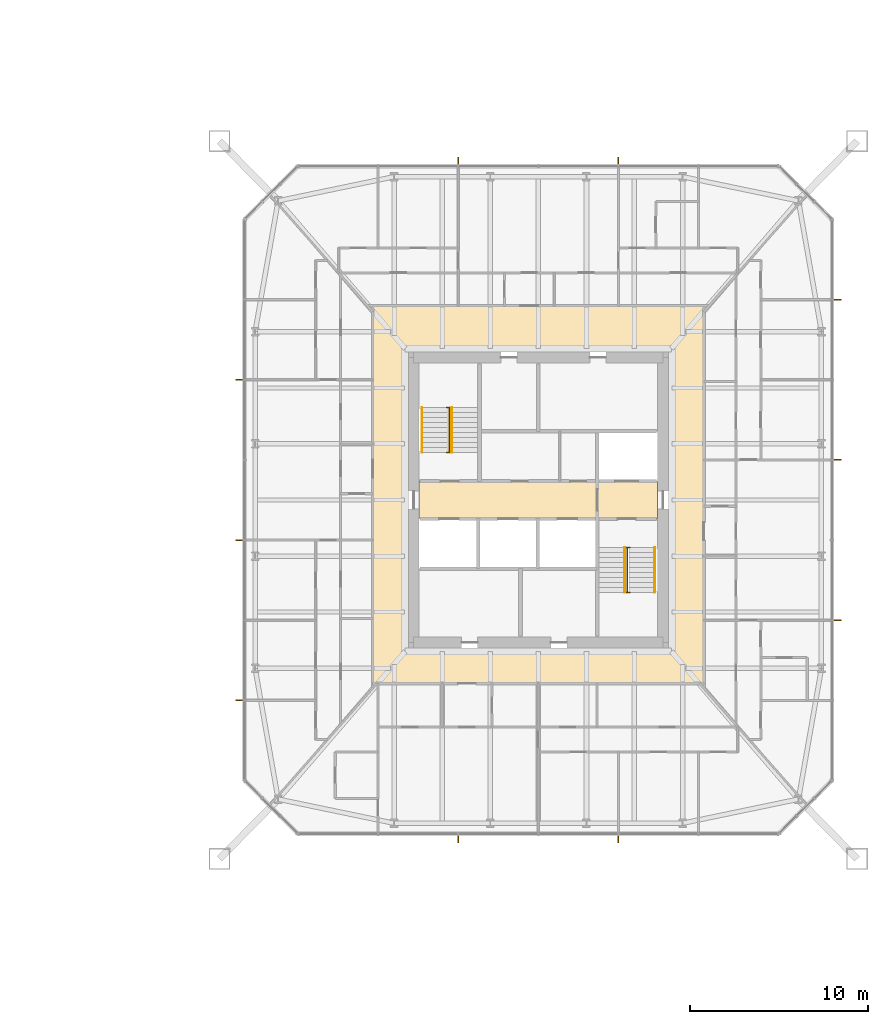
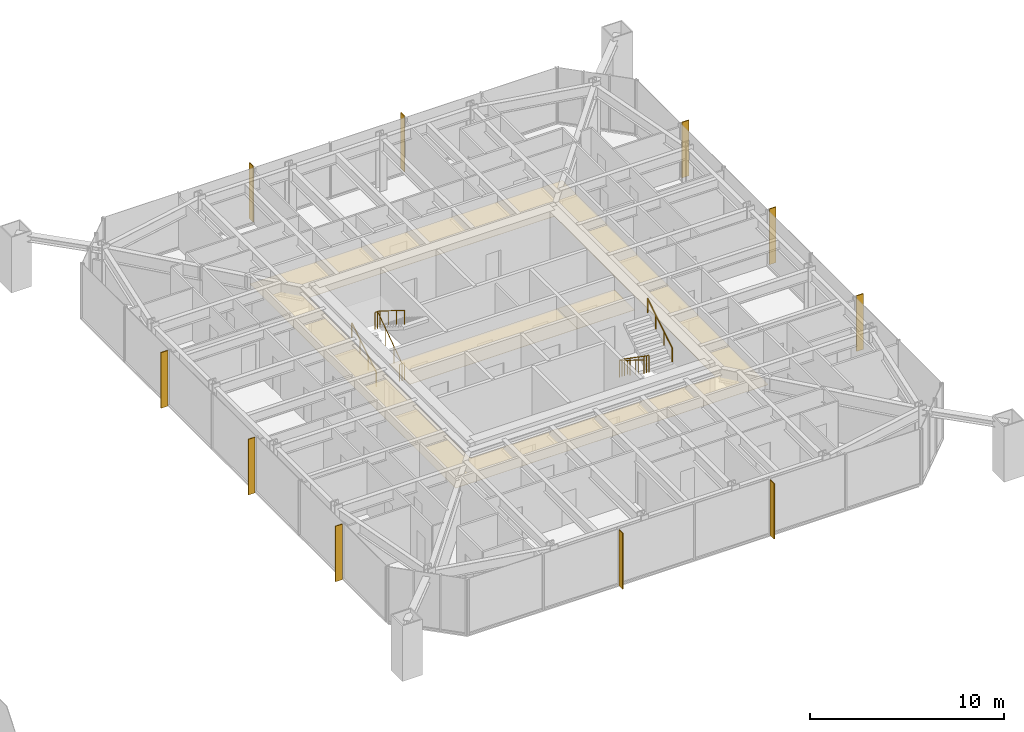
# One storey, part 26 of 26: 10 shading devices, 6 railings, 3 coverings.
"""IFC4 building model written with IfcOpenShell, lengths in metres."""

from ifc_helpers import new_model, si_unit, direction, frame, origin, origin_2d, place, context, subcontext, project, spatial, polyline, rectangle, circle, outline, extrude, material, layer, layer_set, constituent, constituent_set, type_object, element, save


model = new_model("IFC4")

# Units and contexts
model_context = context("Model", 3, precision=1e-05, world=origin(), true_north=direction((0.0, 1.0)))
body_context = subcontext(model_context, "Body", "Model", "MODEL_VIEW")
ifc_project = project(units=[si_unit("LENGTHUNIT", "METRE"), si_unit("AREAUNIT", "SQUARE_METRE"), si_unit("VOLUMEUNIT", "CUBIC_METRE"), si_unit("PLANEANGLEUNIT", "RADIAN"), si_unit("MASSUNIT", "GRAM", prefix="KILO")], contexts=[model_context])

# Site, building, storey
site_placement = place(None, origin())
site = spatial("IfcSite", under=ifc_project, at=site_placement, CompositionType="ELEMENT")
building_placement = place(site_placement, origin())
building = spatial("IfcBuilding", under=site, at=building_placement, Name="Iwan Alto Co-Living Towers", CompositionType="ELEMENT")
storey_placement = place(building_placement, frame((0.0, 0.0, 36.0)))
storey = spatial("IfcBuildingStorey", under=building, at=storey_placement, Name="L09", CompositionType="ELEMENT", Elevation=36.0)

# Coverings
ifc_material_1 = material(Name="Mineral fibre acoustic tiles on steel grid", Category="steel")
ifc_layer_1 = layer(ifc_material_1, 0.02001953125)
ifc_layer_set_1 = layer_set([ifc_layer_1], Name="ACOUSTIC TILE CEILING 20")
covering_type_1 = type_object("IfcCoveringType", Name="ACOUSTIC TILE CEILING 20", PredefinedType="CEILING", material=ifc_layer_set_1)
covering_1_placement = place(storey_placement, frame((0.0, 0.0, 2.60009765625)))
element("IfcCovering", 1, at=covering_1_placement, inside=storey, type_object=covering_type_1, Name="Ceiling Lift lobby L09", PredefinedType="CEILING", context=body_context, shape_type="SweptSolid", body=[
    extrude(outline(polyline([(56.300048828125, -1.050048828125), (56.300048828125, 1.050048828125), (66.300048828125, 1.050048828125), (66.300048828125, -1.050048828125), (56.300048828125, -1.050048828125)])), origin(), (0.0, 0.0, 1.0), 0.02001953125),
])
covering_2_placement = place(storey_placement, frame((0.0, 0.0, 2.60009765625)))
element("IfcCovering", 2, at=covering_2_placement, inside=storey, type_object=covering_type_1, Name="Ceiling Firefighting lobby L09", PredefinedType="CEILING", context=body_context, shape_type="SweptSolid", body=[
    extrude(outline(polyline([(66.300048828125, -1.050048828125), (66.300048828125, 1.050048828125), (69.699951171875, 1.050048828125), (69.699951171875, -1.050048828125), (66.300048828125, -1.050048828125)])), origin(), (0.0, 0.0, 1.0), 0.02001953125),
])

# Shading devices
ifc_material_2 = material(Name="Aluminium 6063-T6 bronze anodised", Category="aluminium")
ifc_layer_2 = layer(ifc_material_2, 0.050048828125)
ifc_layer_set_2 = layer_set([ifc_layer_2], Name="BRONZE FIN 50X400")
shading_device_type = type_object("IfcShadingDeviceType", Name="BRONZE FIN 50X400", PredefinedType="USERDEFINED", material=ifc_layer_set_2)
for number, where, z_axis, x_axis, name in (
    (3, (58.5, -19.050048828125, 0.0), (0.0, 0.0, 1.0), (1.0, 0.0, 0.0), "Bronze fin L09"),
    (4, (67.5, -19.050048828125, 0.0), (0.0, 0.0, 1.0), (1.0, 0.0, 0.0), "Bronze fin L09"),
    (5, (79.800048828125, -6.75, 0.0), (0.0, 0.0, 1.0), (0.0, 1.0, 0.0), "Bronze fin L09"),
    (6, (79.800048828125, 2.25, 0.0), (0.0, 0.0, 1.0), (0.0, 1.0, 0.0), "Bronze fin L09"),
    (7, (79.800048828125, 11.25, 0.0), (0.0, 0.0, 1.0), (0.0, 1.0, 0.0), "Bronze fin L09"),
    (8, (67.5, 19.050048828125, 0.0), (0.0, 0.0, 1.0), (-1.0, 0.0, 0.0), "Bronze fin L09"),
    (9, (58.5, 19.050048828125, 0.0), (0.0, 0.0, 1.0), (-1.0, 0.0, 0.0), "Bronze fin L09"),
    (10, (46.199951171875, 6.75, 0.0), (0.0, 0.0, 1.0), (0.0, -1.0, 0.0), "Bronze fin L09"),
    (11, (46.199951171875, -2.25, 0.0), (0.0, 0.0, 1.0), (0.0, -1.0, 0.0), "Bronze fin L09"),
    (12, (46.199951171875, -11.25, 0.0), (0.0, 0.0, 1.0), (0.0, -1.0, 0.0), "Bronze fin L09"),
):
    element("IfcShadingDevice", number, at=place(storey_placement, frame(where, z_axis=z_axis, x_axis=x_axis)), inside=storey, type_object=shading_device_type, Name=name, ObjectType="LOUVER", PredefinedType="USERDEFINED", context=body_context, shape_type="SweptSolid", body=[
        extrude(rectangle(XDim=0.050048828125, YDim=0.39990234375, at=origin_2d()), origin(), (0.0, 0.0, 1.0), 3.5),
    ])

# Railings
ifc_material_3 = material(Name="Steel ASTM A500 Gr C", Category="steel")
ifc_constituent_1 = constituent(ifc_material_3, Name="Rails and posts", Category="Framing")
ifc_material_4 = material(Name="Steel ASTM A36", Category="steel")
ifc_constituent_2 = constituent(ifc_material_4, Name="Bar infill", Category="Infill")
ifc_constituent_set = constituent_set(constituents=[ifc_constituent_1, ifc_constituent_2], Name="STAIR GUARD 1100")
railing_type_1 = type_object("IfcRailingType", Name="STAIR GUARD 1100", PredefinedType="GUARDRAIL", material=ifc_constituent_set)
railing_1_placement = place(storey_placement, frame((58.0, 2.669921875, 0.0)))
element("IfcRailing", 13, at=railing_1_placement, inside=storey, type_object=railing_type_1, Name="Stair T2-S1 well guard L09", PredefinedType="GUARDRAIL", context=body_context, shape_type="SweptSolid", body=[
    extrude(circle(Radius=0.02392578125, at=origin_2d()), frame((0.0, 0.0, 1.076171875), z_axis=(0.0, 0.821372036852, 0.570392826987), x_axis=(-1.0, 0.0, 0.0)), (0.0, 0.0, 1.0), 3.068115234375),
    extrude(circle(Radius=0.02392578125, at=origin_2d()), frame((-0.14990234375, 0.0, 1.076171875), z_axis=(1.0, 0.0, 0.0), x_axis=(0.0, 1.0, 0.0)), (0.0, 0.0, 1.0), 0.2998046875),
    extrude(circle(Radius=0.02392578125, at=origin_2d()), frame((-0.14990234375, 2.52001953125, 2.826171875), z_axis=(1.0, 0.0, 0.0), x_axis=(0.0, 1.0, 0.0)), (0.0, 0.0, 1.0), 0.2998046875),
    extrude(circle(Radius=0.02099609375, at=origin_2d()), origin(), (0.0, 0.0, 1.0), 1.052001953125),
    extrude(circle(Radius=0.02099609375, at=origin_2d()), frame((0.0, 0.840087890625, 0.583251953125)), (0.0, 0.0, 1.0), 1.052001953125),
    extrude(circle(Radius=0.02099609375, at=origin_2d()), frame((0.0, 1.679931640625, 1.166748046875)), (0.0, 0.0, 1.0), 1.052001953125),
    extrude(circle(Radius=0.02099609375, at=origin_2d()), frame((0.0, 2.52001953125, 1.75)), (0.0, 0.0, 1.0), 1.052001953125),
    extrude(circle(Radius=0.02099609375, at=origin_2d()), frame((-0.14990234375, 0.0, 0.0)), (0.0, 0.0, 1.0), 1.052001953125),
    extrude(circle(Radius=0.02099609375, at=origin_2d()), frame((0.14990234375, 0.0, 0.0)), (0.0, 0.0, 1.0), 1.052001953125),
    extrude(circle(Radius=0.02099609375, at=origin_2d()), frame((-0.14990234375, 2.52001953125, 1.75)), (0.0, 0.0, 1.0), 1.052001953125),
    extrude(circle(Radius=0.02099609375, at=origin_2d()), frame((0.14990234375, 2.52001953125, 1.75)), (0.0, 0.0, 1.0), 1.052001953125),
])
railing_2_placement = place(storey_placement, frame((68.0, -2.669921875, 0.0)))
element("IfcRailing", 14, at=railing_2_placement, inside=storey, type_object=railing_type_1, Name="Stair T2-S2 well guard L09", PredefinedType="GUARDRAIL", context=body_context, shape_type="SweptSolid", body=[
    extrude(circle(Radius=0.02392578125, at=origin_2d()), frame((0.0, 0.0, 1.076171875), z_axis=(0.0, -0.821372036852, 0.570392826987), x_axis=(1.0, 0.0, 0.0)), (0.0, 0.0, 1.0), 3.068115234375),
    extrude(circle(Radius=0.02392578125, at=origin_2d()), frame((-0.14990234375, 0.0, 1.076171875), z_axis=(1.0, 0.0, 0.0), x_axis=(0.0, 1.0, 0.0)), (0.0, 0.0, 1.0), 0.2998046875),
    extrude(circle(Radius=0.02392578125, at=origin_2d()), frame((-0.14990234375, -2.52001953125, 2.826171875), z_axis=(1.0, 0.0, 0.0), x_axis=(0.0, 1.0, 0.0)), (0.0, 0.0, 1.0), 0.2998046875),
    extrude(circle(Radius=0.02099609375, at=origin_2d()), origin(), (0.0, 0.0, 1.0), 1.052001953125),
    extrude(circle(Radius=0.02099609375, at=origin_2d()), frame((0.0, -0.840087890625, 0.583251953125)), (0.0, 0.0, 1.0), 1.052001953125),
    extrude(circle(Radius=0.02099609375, at=origin_2d()), frame((0.0, -1.679931640625, 1.166748046875)), (0.0, 0.0, 1.0), 1.052001953125),
    extrude(circle(Radius=0.02099609375, at=origin_2d()), frame((0.0, -2.52001953125, 1.75)), (0.0, 0.0, 1.0), 1.052001953125),
    extrude(circle(Radius=0.02099609375, at=origin_2d()), frame((-0.14990234375, 0.0, 0.0)), (0.0, 0.0, 1.0), 1.052001953125),
    extrude(circle(Radius=0.02099609375, at=origin_2d()), frame((0.14990234375, 0.0, 0.0)), (0.0, 0.0, 1.0), 1.052001953125),
    extrude(circle(Radius=0.02099609375, at=origin_2d()), frame((-0.14990234375, -2.52001953125, 1.75)), (0.0, 0.0, 1.0), 1.052001953125),
    extrude(circle(Radius=0.02099609375, at=origin_2d()), frame((0.14990234375, -2.52001953125, 1.75)), (0.0, 0.0, 1.0), 1.052001953125),
])
ifc_material_5 = material(Name="Steel ASTM A500 Gr C", Category="steel")
railing_type_2 = type_object("IfcRailingType", Name="STAIR HANDRAIL 900", PredefinedType="HANDRAIL", material=ifc_material_5)
railing_3_placement = place(storey_placement, frame((56.469970703125, 2.669921875, 0.175048828125)))
element("IfcRailing", 15, at=railing_3_placement, inside=storey, type_object=railing_type_2, Name="Stair T2-S1 handrail 1 L09", PredefinedType="HANDRAIL", context=body_context, shape_type="SweptSolid", body=[
    extrude(circle(Radius=0.02392578125, at=origin_2d()), frame((0.0, 0.0, 0.8759765625), z_axis=(0.0, 0.848007534815, 0.529984170421), x_axis=(-1.0, 0.0, 0.0)), (0.0, 0.0, 1.0), 2.9716796875),
    extrude(circle(Radius=0.02099609375, at=origin_2d()), origin(), (0.0, 0.0, 1.0), 0.851806640625),
    extrude(circle(Radius=0.02099609375, at=origin_2d()), frame((0.0, 0.840087890625, 0.52490234375)), (0.0, 0.0, 1.0), 0.851806640625),
    extrude(circle(Radius=0.02099609375, at=origin_2d()), frame((0.0, 1.679931640625, 1.050048828125)), (0.0, 0.0, 1.0), 0.851806640625),
    extrude(circle(Radius=0.02099609375, at=origin_2d()), frame((0.0, 2.52001953125, 1.574951171875)), (0.0, 0.0, 1.0), 0.851806640625),
])
for number, where, name in (
    (16, (58.14990234375, 5.18994140625, 1.925048828125), "Stair T2-S1 handrail 2 L09"),
    (17, (67.85009765625, -2.669921875, 0.175048828125), "Stair T2-S2 handrail 1 L09"),
):
    element("IfcRailing", number, at=place(storey_placement, frame(where)), inside=storey, type_object=railing_type_2, Name=name, PredefinedType="HANDRAIL", context=body_context, shape_type="SweptSolid", body=[
        extrude(circle(Radius=0.02392578125, at=origin_2d()), frame((0.0, 0.0, 0.8759765625), z_axis=(0.0, -0.848007534815, 0.529984170421), x_axis=(1.0, 0.0, 0.0)), (0.0, 0.0, 1.0), 2.9716796875),
        extrude(circle(Radius=0.02099609375, at=origin_2d()), origin(), (0.0, 0.0, 1.0), 0.851806640625),
        extrude(circle(Radius=0.02099609375, at=origin_2d()), frame((0.0, -0.840087890625, 0.52490234375)), (0.0, 0.0, 1.0), 0.851806640625),
        extrude(circle(Radius=0.02099609375, at=origin_2d()), frame((0.0, -1.679931640625, 1.050048828125)), (0.0, 0.0, 1.0), 0.851806640625),
        extrude(circle(Radius=0.02099609375, at=origin_2d()), frame((0.0, -2.52001953125, 1.574951171875)), (0.0, 0.0, 1.0), 0.851806640625),
    ])
railing_4_placement = place(storey_placement, frame((69.530029296875, -5.18994140625, 1.925048828125)))
element("IfcRailing", 18, at=railing_4_placement, inside=storey, type_object=railing_type_2, Name="Stair T2-S2 handrail 2 L09", PredefinedType="HANDRAIL", context=body_context, shape_type="SweptSolid", body=[
    extrude(circle(Radius=0.02392578125, at=origin_2d()), frame((0.0, 0.0, 0.8759765625), z_axis=(0.0, 0.848007534815, 0.529984170421), x_axis=(-1.0, 0.0, 0.0)), (0.0, 0.0, 1.0), 2.9716796875),
    extrude(circle(Radius=0.02099609375, at=origin_2d()), origin(), (0.0, 0.0, 1.0), 0.851806640625),
    extrude(circle(Radius=0.02099609375, at=origin_2d()), frame((0.0, 0.840087890625, 0.52490234375)), (0.0, 0.0, 1.0), 0.851806640625),
    extrude(circle(Radius=0.02099609375, at=origin_2d()), frame((0.0, 1.679931640625, 1.050048828125)), (0.0, 0.0, 1.0), 0.851806640625),
    extrude(circle(Radius=0.02099609375, at=origin_2d()), frame((0.0, 2.52001953125, 1.574951171875)), (0.0, 0.0, 1.0), 0.851806640625),
])

# Covering
ifc_material_6 = material(Name="Gypsum plasterboard on steel grid", Category="steel")
ifc_layer_3 = layer(ifc_material_6, 0.014892578125)
ifc_layer_set_3 = layer_set([ifc_layer_3], Name="SUSPENDED PLASTERBOARD CEILING 15")
covering_type_2 = type_object("IfcCoveringType", Name="SUSPENDED PLASTERBOARD CEILING 15", PredefinedType="CEILING", material=ifc_layer_set_3)
covering_3_placement = place(storey_placement, frame((0.0, 0.0, 2.60009765625)))
element("IfcCovering", 19, at=covering_3_placement, inside=storey, type_object=covering_type_2, Name="Ceiling Corridor L09", PredefinedType="CEILING", context=body_context, shape_type="SweptSolid", body=[
    extrude(outline(polyline([(53.699951171875, 10.89990234375), (72.300048828125, 10.89990234375), (72.300048828125, -10.300048828125), (53.699951171875, -10.300048828125), (53.699951171875, 10.89990234375)]), holes=[polyline([(55.699951171875, 8.300048828125), (55.699951171875, -8.300048828125), (70.300048828125, -8.300048828125), (70.300048828125, 8.300048828125), (55.699951171875, 8.300048828125)])]), origin(), (0.0, 0.0, 1.0), 0.014892578125),
])

save(model, "model.ifc")
